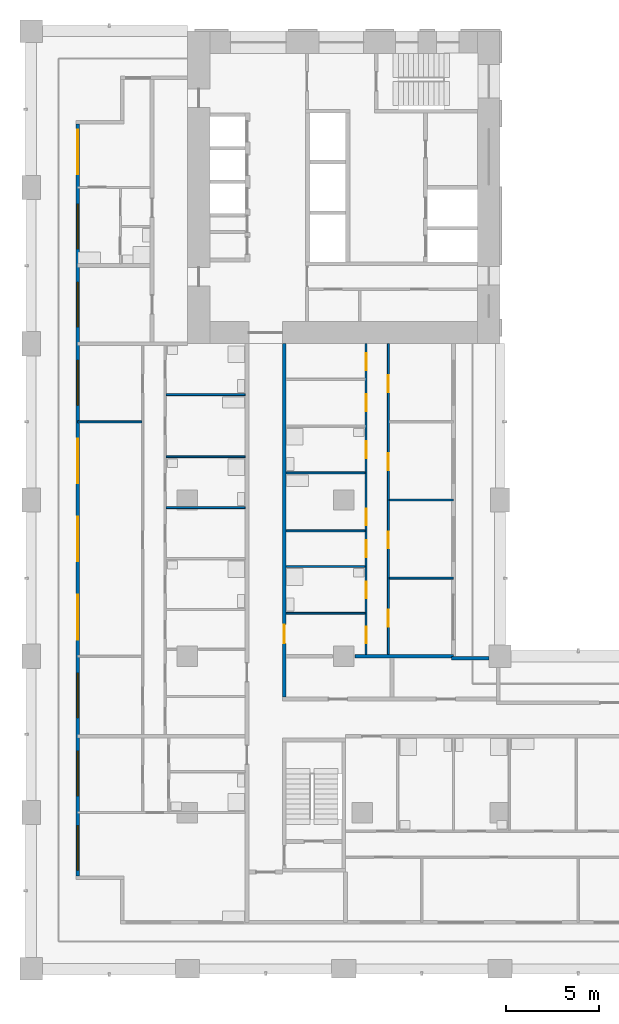
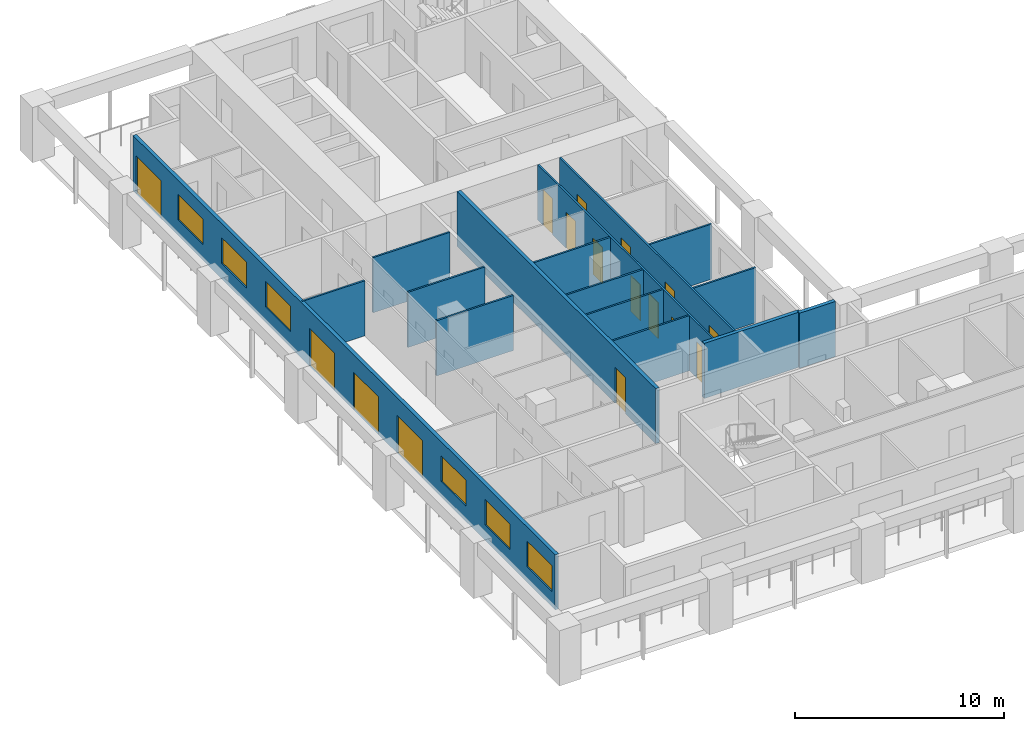
# One storey, part 4 of 16: 16 doors, 16 walls, 6 windows, 22 openings.
"""IFC4 building model written with IfcOpenShell, lengths in metres."""

from ifc_helpers import new_model, si_unit, direction, frame, frame_2d, origin, place, context, subcontext, project, spatial, rectangle, extrude, material, layer, layer_set, type_object, element, fill, save


model = new_model("IFC4")

# Units and contexts
model_context = context("Model", 3, precision=1e-05, world=origin(), true_north=direction((0.0, 1.0)))
body_context = subcontext(model_context, "Body", "Model", "MODEL_VIEW")
ifc_project = project(units=[si_unit("LENGTHUNIT", "METRE"), si_unit("AREAUNIT", "SQUARE_METRE"), si_unit("VOLUMEUNIT", "CUBIC_METRE"), si_unit("PLANEANGLEUNIT", "RADIAN"), si_unit("MASSUNIT", "GRAM", prefix="KILO")], contexts=[model_context])

# Site, building, storey
site_placement = place(None, origin())
site = spatial("IfcSite", under=ifc_project, at=site_placement, CompositionType="ELEMENT")
building_placement = place(site_placement, origin())
building = spatial("IfcBuilding", under=site, at=building_placement, Name="Vermilion Gate Residences", CompositionType="ELEMENT")
storey_placement = place(building_placement, frame((0.0, 0.0, 126.699951171875)))
storey = spatial("IfcBuildingStorey", under=building, at=storey_placement, Name="L32", CompositionType="ELEMENT", Elevation=126.699951171875)

# Wall, openings, doors, windows
ifc_material_1 = material(Name="Insulated steel stud wall with terracotta rainscreen", Category="masonry")
ifc_layer_1 = layer(ifc_material_1, 0.199951171875)
ifc_layer_set_1 = layer_set([ifc_layer_1], Name="EXTERNAL WALL 200 TERRACOTTA RAINSCREEN")
wall_type_1 = type_object("IfcWallType", Name="EXTERNAL WALL 200 TERRACOTTA RAINSCREEN", PredefinedType="SOLIDWALL", material=ifc_layer_set_1)
wall_1_placement = place(storey_placement, frame((2.5, 53.800048828125, 0.0), z_axis=(0.0, 0.0, 1.0), x_axis=(0.0, -1.0, 0.0)))
wall_1 = element("IfcWall", 1, at=wall_1_placement, inside=storey, type_object=wall_type_1, Name="External wall", PredefinedType="SOLIDWALL", context=body_context, shape_type="SweptSolid", body=[
    extrude(rectangle(XDim=40.400146484375, YDim=0.199951171875, at=frame_2d((20.2001953125, 0.0))), origin(), (0.0, 0.0, 1.0), 3.219970703125),
])
opening_1_placement = place(wall_1_placement, frame((37.699951171875, 0.0, 0.89990234375)))
opening_1 = element("IfcOpeningElement", 2, at=opening_1_placement, cuts=wall_1, Name="Opening WE32002", PredefinedType="OPENING", context=body_context, shape_type="SweptSolid", body=[
    extrude(rectangle(XDim=2.39990234375, YDim=1.5, at=frame_2d((1.199951171875, 0.75))), frame((0.0, 0.10986328125, 0.0), z_axis=(0.0, -1.0, 0.0), x_axis=(1.0, 0.0, 0.0)), (0.0, 0.0, 1.0), 0.219970703125),
])
opening_2_placement = place(wall_1_placement, frame((33.699951171875, 0.0, 0.89990234375)))
opening_2 = element("IfcOpeningElement", 3, at=opening_2_placement, cuts=wall_1, Name="Opening WE32003", PredefinedType="OPENING", context=body_context, shape_type="SweptSolid", body=[
    extrude(rectangle(XDim=2.39990234375, YDim=1.5, at=frame_2d((1.199951171875, 0.75))), frame((0.0, 0.10986328125, 0.0), z_axis=(0.0, -1.0, 0.0), x_axis=(1.0, 0.0, 0.0)), (0.0, 0.0, 1.0), 0.219970703125),
])
opening_3_placement = place(wall_1_placement, frame((29.5, 0.0, 0.89990234375)))
opening_3 = element("IfcOpeningElement", 4, at=opening_3_placement, cuts=wall_1, Name="Opening WE32004", PredefinedType="OPENING", context=body_context, shape_type="SweptSolid", body=[
    extrude(rectangle(XDim=2.39990234375, YDim=1.5, at=frame_2d((1.199951171875, 0.75))), frame((0.0, 0.10986328125, 0.0), z_axis=(0.0, -1.0, 0.0), x_axis=(1.0, 0.0, 0.0)), (0.0, 0.0, 1.0), 0.219970703125),
])
opening_4_placement = place(wall_1_placement, frame((25.300048828125, 0.0, 0.0)))
opening_4 = element("IfcOpeningElement", 5, at=opening_4_placement, cuts=wall_1, Name="Opening DE32005", PredefinedType="OPENING", context=body_context, shape_type="SweptSolid", body=[
    extrude(rectangle(XDim=2.39990234375, YDim=2.199951171875, at=frame_2d((1.199951171875, 1.10009765625))), frame((0.0, 0.10986328125, 0.0), z_axis=(0.0, -1.0, 0.0), x_axis=(1.0, 0.0, 0.0)), (0.0, 0.0, 1.0), 0.219970703125),
])
opening_5_placement = place(wall_1_placement, frame((21.10009765625, 0.0, 0.0)))
opening_5 = element("IfcOpeningElement", 6, at=opening_5_placement, cuts=wall_1, Name="Opening DE32006", PredefinedType="OPENING", context=body_context, shape_type="SweptSolid", body=[
    extrude(rectangle(XDim=2.39990234375, YDim=2.199951171875, at=frame_2d((1.199951171875, 1.10009765625))), frame((0.0, 0.10986328125, 0.0), z_axis=(0.0, -1.0, 0.0), x_axis=(1.0, 0.0, 0.0)), (0.0, 0.0, 1.0), 0.219970703125),
])
opening_6_placement = place(wall_1_placement, frame((16.89990234375, 0.0, 0.0)))
opening_6 = element("IfcOpeningElement", 7, at=opening_6_placement, cuts=wall_1, Name="Opening DE32007", PredefinedType="OPENING", context=body_context, shape_type="SweptSolid", body=[
    extrude(rectangle(XDim=2.39990234375, YDim=2.199951171875, at=frame_2d((1.199951171875, 1.10009765625))), frame((0.0, 0.10986328125, 0.0), z_axis=(0.0, -1.0, 0.0), x_axis=(1.0, 0.0, 0.0)), (0.0, 0.0, 1.0), 0.219970703125),
])
opening_7_placement = place(wall_1_placement, frame((12.699951171875, 0.0, 0.89990234375)))
opening_7 = element("IfcOpeningElement", 8, at=opening_7_placement, cuts=wall_1, Name="Opening WE32008", PredefinedType="OPENING", context=body_context, shape_type="SweptSolid", body=[
    extrude(rectangle(XDim=2.39990234375, YDim=1.5, at=frame_2d((1.199951171875, 0.75))), frame((0.0, 0.10986328125, 0.0), z_axis=(0.0, -1.0, 0.0), x_axis=(1.0, 0.0, 0.0)), (0.0, 0.0, 1.0), 0.219970703125),
])
opening_8_placement = place(wall_1_placement, frame((8.5, 0.0, 0.89990234375)))
opening_8 = element("IfcOpeningElement", 9, at=opening_8_placement, cuts=wall_1, Name="Opening WE32009", PredefinedType="OPENING", context=body_context, shape_type="SweptSolid", body=[
    extrude(rectangle(XDim=2.39990234375, YDim=1.5, at=frame_2d((1.199951171875, 0.75))), frame((0.0, 0.10986328125, 0.0), z_axis=(0.0, -1.0, 0.0), x_axis=(1.0, 0.0, 0.0)), (0.0, 0.0, 1.0), 0.219970703125),
])
opening_9_placement = place(wall_1_placement, frame((4.300048828125, 0.0, 0.89990234375)))
opening_9 = element("IfcOpeningElement", 10, at=opening_9_placement, cuts=wall_1, Name="Opening WE32010", PredefinedType="OPENING", context=body_context, shape_type="SweptSolid", body=[
    extrude(rectangle(XDim=2.39990234375, YDim=1.5, at=frame_2d((1.199951171875, 0.75))), frame((0.0, 0.10986328125, 0.0), z_axis=(0.0, -1.0, 0.0), x_axis=(1.0, 0.0, 0.0)), (0.0, 0.0, 1.0), 0.219970703125),
])
opening_10_placement = place(wall_1_placement, frame((0.300048828125, 0.0, 0.0)))
opening_10 = element("IfcOpeningElement", 11, at=opening_10_placement, cuts=wall_1, Name="Opening DE32011", PredefinedType="OPENING", context=body_context, shape_type="SweptSolid", body=[
    extrude(rectangle(XDim=2.39990234375, YDim=2.199951171875, at=frame_2d((1.199951171875, 1.10009765625))), frame((0.0, 0.10986328125, 0.0), z_axis=(0.0, -1.0, 0.0), x_axis=(1.0, 0.0, 0.0)), (0.0, 0.0, 1.0), 0.219970703125),
])
ifc_material_2 = material(Name="Aluminium and clear glass", Category="aluminium")
door_type_1 = type_object("IfcDoorType", Name="SLIDING GLAZED DOOR 2400 X 2200", OperationType="DOUBLE_DOOR_SLIDING", PredefinedType="DOOR", material=ifc_material_2)
door_1_placement = place(opening_4_placement, origin())
door_1 = element("IfcDoor", 12, at=door_1_placement, inside=storey, type_object=door_type_1, Name="Loggia sliding door", OperationType="DOUBLE_DOOR_SLIDING", OverallHeight=2.199951171875, OverallWidth=2.39990234375, PredefinedType="DOOR", context=body_context, shape_type="SweptSolid", body=[
    extrude(rectangle(XDim=2.39990234375, YDim=2.199951171875, at=frame_2d((1.199951171875, 1.10009765625))), frame((0.0, 0.02490234375, 0.0), z_axis=(0.0, -1.0, 0.0), x_axis=(1.0, 0.0, 0.0)), (0.0, 0.0, 1.0), 0.050048828125),
])
fill(opening_4, door_1)
door_2_placement = place(opening_5_placement, origin())
door_2 = element("IfcDoor", 13, at=door_2_placement, inside=storey, type_object=door_type_1, Name="Loggia sliding door", OperationType="DOUBLE_DOOR_SLIDING", OverallHeight=2.199951171875, OverallWidth=2.39990234375, PredefinedType="DOOR", context=body_context, shape_type="SweptSolid", body=[
    extrude(rectangle(XDim=2.39990234375, YDim=2.199951171875, at=frame_2d((1.199951171875, 1.10009765625))), frame((0.0, 0.02490234375, 0.0), z_axis=(0.0, -1.0, 0.0), x_axis=(1.0, 0.0, 0.0)), (0.0, 0.0, 1.0), 0.050048828125),
])
fill(opening_5, door_2)
door_3_placement = place(opening_6_placement, origin())
door_3 = element("IfcDoor", 14, at=door_3_placement, inside=storey, type_object=door_type_1, Name="Loggia sliding door", OperationType="DOUBLE_DOOR_SLIDING", OverallHeight=2.199951171875, OverallWidth=2.39990234375, PredefinedType="DOOR", context=body_context, shape_type="SweptSolid", body=[
    extrude(rectangle(XDim=2.39990234375, YDim=2.199951171875, at=frame_2d((1.199951171875, 1.10009765625))), frame((0.0, 0.02490234375, 0.0), z_axis=(0.0, -1.0, 0.0), x_axis=(1.0, 0.0, 0.0)), (0.0, 0.0, 1.0), 0.050048828125),
])
fill(opening_6, door_3)
door_4_placement = place(opening_10_placement, origin())
door_4 = element("IfcDoor", 15, at=door_4_placement, inside=storey, type_object=door_type_1, Name="Loggia sliding door", OperationType="DOUBLE_DOOR_SLIDING", OverallHeight=2.199951171875, OverallWidth=2.39990234375, PredefinedType="DOOR", context=body_context, shape_type="SweptSolid", body=[
    extrude(rectangle(XDim=2.39990234375, YDim=2.199951171875, at=frame_2d((1.199951171875, 1.10009765625))), frame((0.0, 0.02490234375, 0.0), z_axis=(0.0, -1.0, 0.0), x_axis=(1.0, 0.0, 0.0)), (0.0, 0.0, 1.0), 0.050048828125),
])
fill(opening_10, door_4)
ifc_material_3 = material(Name="Aluminium and clear glass", Category="aluminium")
window_type = type_object("IfcWindowType", Name="WINDOW 2400 X 1500", PartitioningType="SINGLE_PANEL", PredefinedType="WINDOW", material=ifc_material_3)
window_1_placement = place(opening_1_placement, origin())
window_1 = element("IfcWindow", 16, at=window_1_placement, inside=storey, type_object=window_type, Name="Window", OverallHeight=1.5, OverallWidth=2.39990234375, PartitioningType="SINGLE_PANEL", PredefinedType="WINDOW", context=body_context, shape_type="SweptSolid", body=[
    extrude(rectangle(XDim=2.39990234375, YDim=1.5, at=frame_2d((1.199951171875, 0.75))), frame((0.0, 0.030029296875, 0.0), z_axis=(0.0, -1.0, 0.0), x_axis=(1.0, 0.0, 0.0)), (0.0, 0.0, 1.0), 0.06005859375),
])
fill(opening_1, window_1)
window_2_placement = place(opening_2_placement, origin())
window_2 = element("IfcWindow", 17, at=window_2_placement, inside=storey, type_object=window_type, Name="Window", OverallHeight=1.5, OverallWidth=2.39990234375, PartitioningType="SINGLE_PANEL", PredefinedType="WINDOW", context=body_context, shape_type="SweptSolid", body=[
    extrude(rectangle(XDim=2.39990234375, YDim=1.5, at=frame_2d((1.199951171875, 0.75))), frame((0.0, 0.030029296875, 0.0), z_axis=(0.0, -1.0, 0.0), x_axis=(1.0, 0.0, 0.0)), (0.0, 0.0, 1.0), 0.06005859375),
])
fill(opening_2, window_2)
window_3_placement = place(opening_3_placement, origin())
window_3 = element("IfcWindow", 18, at=window_3_placement, inside=storey, type_object=window_type, Name="Window", OverallHeight=1.5, OverallWidth=2.39990234375, PartitioningType="SINGLE_PANEL", PredefinedType="WINDOW", context=body_context, shape_type="SweptSolid", body=[
    extrude(rectangle(XDim=2.39990234375, YDim=1.5, at=frame_2d((1.199951171875, 0.75))), frame((0.0, 0.030029296875, 0.0), z_axis=(0.0, -1.0, 0.0), x_axis=(1.0, 0.0, 0.0)), (0.0, 0.0, 1.0), 0.06005859375),
])
fill(opening_3, window_3)
window_4_placement = place(opening_7_placement, origin())
window_4 = element("IfcWindow", 19, at=window_4_placement, inside=storey, type_object=window_type, Name="Window", OverallHeight=1.5, OverallWidth=2.39990234375, PartitioningType="SINGLE_PANEL", PredefinedType="WINDOW", context=body_context, shape_type="SweptSolid", body=[
    extrude(rectangle(XDim=2.39990234375, YDim=1.5, at=frame_2d((1.199951171875, 0.75))), frame((0.0, 0.030029296875, 0.0), z_axis=(0.0, -1.0, 0.0), x_axis=(1.0, 0.0, 0.0)), (0.0, 0.0, 1.0), 0.06005859375),
])
fill(opening_7, window_4)
window_5_placement = place(opening_8_placement, origin())
window_5 = element("IfcWindow", 20, at=window_5_placement, inside=storey, type_object=window_type, Name="Window", OverallHeight=1.5, OverallWidth=2.39990234375, PartitioningType="SINGLE_PANEL", PredefinedType="WINDOW", context=body_context, shape_type="SweptSolid", body=[
    extrude(rectangle(XDim=2.39990234375, YDim=1.5, at=frame_2d((1.199951171875, 0.75))), frame((0.0, 0.030029296875, 0.0), z_axis=(0.0, -1.0, 0.0), x_axis=(1.0, 0.0, 0.0)), (0.0, 0.0, 1.0), 0.06005859375),
])
fill(opening_8, window_5)
window_6_placement = place(opening_9_placement, origin())
window_6 = element("IfcWindow", 21, at=window_6_placement, inside=storey, type_object=window_type, Name="Window", OverallHeight=1.5, OverallWidth=2.39990234375, PartitioningType="SINGLE_PANEL", PredefinedType="WINDOW", context=body_context, shape_type="SweptSolid", body=[
    extrude(rectangle(XDim=2.39990234375, YDim=1.5, at=frame_2d((1.199951171875, 0.75))), frame((0.0, 0.030029296875, 0.0), z_axis=(0.0, -1.0, 0.0), x_axis=(1.0, 0.0, 0.0)), (0.0, 0.0, 1.0), 0.06005859375),
])
fill(opening_9, window_6)

# Walls
wall_2_placement = place(storey_placement, frame((24.60009765625, 25.10009765625, 0.0), z_axis=(0.0, 0.0, 1.0), x_axis=(-1.0, 0.0, 0.0)))
element("IfcWall", 22, at=wall_2_placement, inside=storey, type_object=wall_type_1, Name="External wall", PredefinedType="SOLIDWALL", context=body_context, shape_type="SweptSolid", body=[
    extrude(rectangle(XDim=2.0, YDim=0.199951171875, at=frame_2d((1.0, 0.0))), origin(), (0.0, 0.0, 1.0), 3.219970703125),
])
ifc_material_4 = material(Name="Plasterboard on steel studs", Category="steel")
ifc_layer_2 = layer(ifc_material_4, 0.10009765625)
ifc_layer_set_2 = layer_set([ifc_layer_2], Name="PARTITION 100")
wall_type_2 = type_object("IfcWallType", Name="PARTITION 100", PredefinedType="PARTITIONING", material=ifc_layer_set_2)
wall_3_placement = place(storey_placement, frame((13.699951171875, 27.513916015625, 0.0), z_axis=(0.0, 0.0, 1.0), x_axis=(1.0, 0.0, 0.0)))
element("IfcWall", 23, at=wall_3_placement, inside=storey, type_object=wall_type_2, Name="Partition", PredefinedType="PARTITIONING", context=body_context, shape_type="SweptSolid", body=[
    extrude(rectangle(XDim=4.25, YDim=0.10009765625, at=frame_2d((2.125, 0.0))), origin(), (0.0, 0.0, 1.0), 3.219970703125),
])
wall_4_placement = place(storey_placement, frame((19.25, 29.39990234375, 0.0), z_axis=(0.0, 0.0, 1.0), x_axis=(1.0, 0.0, 0.0)))
element("IfcWall", 24, at=wall_4_placement, inside=storey, type_object=wall_type_2, Name="Partition", PredefinedType="PARTITIONING", context=body_context, shape_type="SweptSolid", body=[
    extrude(rectangle(XDim=3.449951171875, YDim=0.10009765625, at=frame_2d((1.72509765625, 0.0))), origin(), (0.0, 0.0, 1.0), 3.219970703125),
])
for number, where, z_axis, x_axis, name in (
    (25, (13.699951171875, 30.029052734375, 0.0), (0.0, 0.0, 1.0), (1.0, 0.0, 0.0), "Partition"),
    (26, (13.699951171875, 31.943115234375, 0.0), (0.0, 0.0, 1.0), (1.0, 0.0, 0.0), "Partition"),
    (27, (7.25, 33.18798828125, 0.0), (0.0, 0.0, 1.0), (1.0, 0.0, 0.0), "Partition"),
):
    element("IfcWall", number, at=place(storey_placement, frame(where, z_axis=z_axis, x_axis=x_axis)), inside=storey, type_object=wall_type_2, Name=name, PredefinedType="PARTITIONING", context=body_context, shape_type="SweptSolid", body=[
        extrude(rectangle(XDim=4.25, YDim=0.10009765625, at=frame_2d((2.125, 0.0))), origin(), (0.0, 0.0, 1.0), 3.219970703125),
    ])
wall_5_placement = place(storey_placement, frame((19.25, 33.60009765625, 0.0), z_axis=(0.0, 0.0, 1.0), x_axis=(1.0, 0.0, 0.0)))
element("IfcWall", 28, at=wall_5_placement, inside=storey, type_object=wall_type_2, Name="Partition", PredefinedType="PARTITIONING", context=body_context, shape_type="SweptSolid", body=[
    extrude(rectangle(XDim=3.449951171875, YDim=0.10009765625, at=frame_2d((1.72509765625, 0.0))), origin(), (0.0, 0.0, 1.0), 3.219970703125),
])
for number, where, z_axis, x_axis, name in (
    (29, (13.699951171875, 35.056884765625, 0.0), (0.0, 0.0, 1.0), (1.0, 0.0, 0.0), "Partition"),
    (30, (7.25, 35.925048828125, 0.0), (0.0, 0.0, 1.0), (1.0, 0.0, 0.0), "Partition"),
):
    element("IfcWall", number, at=place(storey_placement, frame(where, z_axis=z_axis, x_axis=x_axis)), inside=storey, type_object=wall_type_2, Name=name, PredefinedType="PARTITIONING", context=body_context, shape_type="SweptSolid", body=[
        extrude(rectangle(XDim=4.25, YDim=0.10009765625, at=frame_2d((2.125, 0.0))), origin(), (0.0, 0.0, 1.0), 3.219970703125),
    ])
wall_6_placement = place(storey_placement, frame((2.5, 37.800048828125, 0.0), z_axis=(0.0, 0.0, 1.0), x_axis=(1.0, 0.0, 0.0)))
element("IfcWall", 31, at=wall_6_placement, inside=storey, type_object=wall_type_2, Name="Partition", PredefinedType="PARTITIONING", context=body_context, shape_type="SweptSolid", body=[
    extrude(rectangle(XDim=3.449951171875, YDim=0.10009765625, at=frame_2d((1.72509765625, 0.0))), origin(), (0.0, 0.0, 1.0), 3.219970703125),
])
wall_7_placement = place(storey_placement, frame((7.25, 39.262939453125, 0.0), z_axis=(0.0, 0.0, 1.0), x_axis=(1.0, 0.0, 0.0)))
element("IfcWall", 32, at=wall_7_placement, inside=storey, type_object=wall_type_2, Name="Partition", PredefinedType="PARTITIONING", context=body_context, shape_type="SweptSolid", body=[
    extrude(rectangle(XDim=4.25, YDim=0.10009765625, at=frame_2d((2.125, 0.0))), origin(), (0.0, 0.0, 1.0), 3.219970703125),
])

# Wall, openings, doors
wall_8_placement = place(storey_placement, frame((18.0, 25.300048828125, 0.0), z_axis=(0.0, 0.0, 1.0), x_axis=(0.0, 1.0, 0.0)))
wall_8 = element("IfcWall", 33, at=wall_8_placement, inside=storey, type_object=wall_type_2, Name="Partition", PredefinedType="PARTITIONING", context=body_context, shape_type="SweptSolid", body=[
    extrude(rectangle(XDim=16.699951171875, YDim=0.10009765625, at=frame_2d((8.35009765625, 0.0))), origin(), (0.0, 0.0, 1.0), 3.219970703125),
])
opening_11_placement = place(wall_8_placement, frame((0.60009765625, 0.0, 0.0)))
opening_11 = element("IfcOpeningElement", 34, at=opening_11_placement, cuts=wall_8, Name="Opening DA32039", PredefinedType="OPENING", context=body_context, shape_type="SweptSolid", body=[
    extrude(rectangle(XDim=0.89990234375, YDim=2.10009765625, at=frame_2d((0.449951171875, 1.050048828125))), frame((0.0, 0.06005859375, 0.0), z_axis=(0.0, -1.0, 0.0), x_axis=(1.0, 0.0, 0.0)), (0.0, 0.0, 1.0), 0.1201171875),
])
opening_12_placement = place(wall_8_placement, frame((3.013916015625, 0.0, 0.0)))
opening_12 = element("IfcOpeningElement", 35, at=opening_12_placement, cuts=wall_8, Name="Opening DA32040", PredefinedType="OPENING", context=body_context, shape_type="SweptSolid", body=[
    extrude(rectangle(XDim=0.89990234375, YDim=2.10009765625, at=frame_2d((0.449951171875, 1.050048828125))), frame((0.0, 0.06005859375, 0.0), z_axis=(0.0, -1.0, 0.0), x_axis=(1.0, 0.0, 0.0)), (0.0, 0.0, 1.0), 0.1201171875),
])
opening_13_placement = place(wall_8_placement, frame((5.22900390625, 0.0, 0.0)))
opening_13 = element("IfcOpeningElement", 36, at=opening_13_placement, cuts=wall_8, Name="Opening DA32041", PredefinedType="OPENING", context=body_context, shape_type="SweptSolid", body=[
    extrude(rectangle(XDim=0.89990234375, YDim=2.10009765625, at=frame_2d((0.449951171875, 1.050048828125))), frame((0.0, 0.06005859375, 0.0), z_axis=(0.0, -1.0, 0.0), x_axis=(1.0, 0.0, 0.0)), (0.0, 0.0, 1.0), 0.1201171875),
])
opening_14_placement = place(wall_8_placement, frame((6.943115234375, 0.0, 0.0)))
opening_14 = element("IfcOpeningElement", 37, at=opening_14_placement, cuts=wall_8, Name="Opening DA32042", PredefinedType="OPENING", context=body_context, shape_type="SweptSolid", body=[
    extrude(rectangle(XDim=0.89990234375, YDim=2.10009765625, at=frame_2d((0.449951171875, 1.050048828125))), frame((0.0, 0.06005859375, 0.0), z_axis=(0.0, -1.0, 0.0), x_axis=(1.0, 0.0, 0.0)), (0.0, 0.0, 1.0), 0.1201171875),
])
opening_15_placement = place(wall_8_placement, frame((10.556884765625, 0.0, 0.0)))
opening_15 = element("IfcOpeningElement", 38, at=opening_15_placement, cuts=wall_8, Name="Opening DA32043", PredefinedType="OPENING", context=body_context, shape_type="SweptSolid", body=[
    extrude(rectangle(XDim=0.89990234375, YDim=2.10009765625, at=frame_2d((0.449951171875, 1.050048828125))), frame((0.0, 0.06005859375, 0.0), z_axis=(0.0, -1.0, 0.0), x_axis=(1.0, 0.0, 0.0)), (0.0, 0.0, 1.0), 0.1201171875),
])
opening_16_placement = place(wall_8_placement, frame((13.072021484375, 0.0, 0.0)))
opening_16 = element("IfcOpeningElement", 39, at=opening_16_placement, cuts=wall_8, Name="Opening DA32044", PredefinedType="OPENING", context=body_context, shape_type="SweptSolid", body=[
    extrude(rectangle(XDim=0.89990234375, YDim=2.10009765625, at=frame_2d((0.449951171875, 1.050048828125))), frame((0.0, 0.06005859375, 0.0), z_axis=(0.0, -1.0, 0.0), x_axis=(1.0, 0.0, 0.0)), (0.0, 0.0, 1.0), 0.1201171875),
])
opening_17_placement = place(wall_8_placement, frame((15.285888671875, 0.0, 0.0)))
opening_17 = element("IfcOpeningElement", 40, at=opening_17_placement, cuts=wall_8, Name="Opening DA32045", PredefinedType="OPENING", context=body_context, shape_type="SweptSolid", body=[
    extrude(rectangle(XDim=0.89990234375, YDim=2.10009765625, at=frame_2d((0.449951171875, 1.050048828125))), frame((0.0, 0.06005859375, 0.0), z_axis=(0.0, -1.0, 0.0), x_axis=(1.0, 0.0, 0.0)), (0.0, 0.0, 1.0), 0.1201171875),
])
ifc_material_5 = material(Name="Timber", Category="wood")
door_type_2 = type_object("IfcDoorType", Name="INTERIOR DOOR 900 X 2100", OperationType="SINGLE_SWING_LEFT", PredefinedType="DOOR", material=ifc_material_5)
door_5_placement = place(opening_11_placement, origin())
door_5 = element("IfcDoor", 41, at=door_5_placement, inside=storey, type_object=door_type_2, Name="Interior door", OperationType="SINGLE_SWING_LEFT", OverallHeight=2.10009765625, OverallWidth=0.89990234375, PredefinedType="DOOR", context=body_context, shape_type="SweptSolid", body=[
    extrude(rectangle(XDim=0.89990234375, YDim=2.10009765625, at=frame_2d((0.449951171875, 1.050048828125))), frame((0.0, 0.02490234375, 0.0), z_axis=(0.0, -1.0, 0.0), x_axis=(1.0, 0.0, 0.0)), (0.0, 0.0, 1.0), 0.050048828125),
])
fill(opening_11, door_5)
door_6_placement = place(opening_12_placement, origin())
door_6 = element("IfcDoor", 42, at=door_6_placement, inside=storey, type_object=door_type_2, Name="Interior door", OperationType="SINGLE_SWING_RIGHT", OverallHeight=2.10009765625, OverallWidth=0.89990234375, PredefinedType="DOOR", context=body_context, shape_type="SweptSolid", body=[
    extrude(rectangle(XDim=0.89990234375, YDim=2.10009765625, at=frame_2d((0.449951171875, 1.050048828125))), frame((0.0, 0.02490234375, 0.0), z_axis=(0.0, -1.0, 0.0), x_axis=(1.0, 0.0, 0.0)), (0.0, 0.0, 1.0), 0.050048828125),
])
fill(opening_12, door_6)
door_7_placement = place(opening_13_placement, origin())
door_7 = element("IfcDoor", 43, at=door_7_placement, inside=storey, type_object=door_type_2, Name="Interior door", OperationType="SINGLE_SWING_LEFT", OverallHeight=2.10009765625, OverallWidth=0.89990234375, PredefinedType="DOOR", context=body_context, shape_type="SweptSolid", body=[
    extrude(rectangle(XDim=0.89990234375, YDim=2.10009765625, at=frame_2d((0.449951171875, 1.050048828125))), frame((0.0, 0.02490234375, 0.0), z_axis=(0.0, -1.0, 0.0), x_axis=(1.0, 0.0, 0.0)), (0.0, 0.0, 1.0), 0.050048828125),
])
fill(opening_13, door_7)
door_8_placement = place(opening_14_placement, origin())
door_8 = element("IfcDoor", 44, at=door_8_placement, inside=storey, type_object=door_type_2, Name="Interior door", OperationType="SINGLE_SWING_LEFT", OverallHeight=2.10009765625, OverallWidth=0.89990234375, PredefinedType="DOOR", context=body_context, shape_type="SweptSolid", body=[
    extrude(rectangle(XDim=0.89990234375, YDim=2.10009765625, at=frame_2d((0.449951171875, 1.050048828125))), frame((0.0, 0.02490234375, 0.0), z_axis=(0.0, -1.0, 0.0), x_axis=(1.0, 0.0, 0.0)), (0.0, 0.0, 1.0), 0.050048828125),
])
fill(opening_14, door_8)
door_9_placement = place(opening_15_placement, origin())
door_9 = element("IfcDoor", 45, at=door_9_placement, inside=storey, type_object=door_type_2, Name="Interior door", OperationType="SINGLE_SWING_RIGHT", OverallHeight=2.10009765625, OverallWidth=0.89990234375, PredefinedType="DOOR", context=body_context, shape_type="SweptSolid", body=[
    extrude(rectangle(XDim=0.89990234375, YDim=2.10009765625, at=frame_2d((0.449951171875, 1.050048828125))), frame((0.0, 0.02490234375, 0.0), z_axis=(0.0, -1.0, 0.0), x_axis=(1.0, 0.0, 0.0)), (0.0, 0.0, 1.0), 0.050048828125),
])
fill(opening_15, door_9)
door_10_placement = place(opening_16_placement, origin())
door_10 = element("IfcDoor", 46, at=door_10_placement, inside=storey, type_object=door_type_2, Name="Interior door", OperationType="SINGLE_SWING_LEFT", OverallHeight=2.10009765625, OverallWidth=0.89990234375, PredefinedType="DOOR", context=body_context, shape_type="SweptSolid", body=[
    extrude(rectangle(XDim=0.89990234375, YDim=2.10009765625, at=frame_2d((0.449951171875, 1.050048828125))), frame((0.0, 0.02490234375, 0.0), z_axis=(0.0, -1.0, 0.0), x_axis=(1.0, 0.0, 0.0)), (0.0, 0.0, 1.0), 0.050048828125),
])
fill(opening_16, door_10)
door_11_placement = place(opening_17_placement, origin())
door_11 = element("IfcDoor", 47, at=door_11_placement, inside=storey, type_object=door_type_2, Name="Interior door", OperationType="SINGLE_SWING_LEFT", OverallHeight=2.10009765625, OverallWidth=0.89990234375, PredefinedType="DOOR", context=body_context, shape_type="SweptSolid", body=[
    extrude(rectangle(XDim=0.89990234375, YDim=2.10009765625, at=frame_2d((0.449951171875, 1.050048828125))), frame((0.0, 0.02490234375, 0.0), z_axis=(0.0, -1.0, 0.0), x_axis=(1.0, 0.0, 0.0)), (0.0, 0.0, 1.0), 0.050048828125),
])
fill(opening_17, door_11)

wall_9_placement = place(storey_placement, frame((19.199951171875, 25.300048828125, 0.0), z_axis=(0.0, 0.0, 1.0), x_axis=(0.0, 1.0, 0.0)))
wall_9 = element("IfcWall", 48, at=wall_9_placement, inside=storey, type_object=wall_type_2, Name="Partition", PredefinedType="PARTITIONING", context=body_context, shape_type="SweptSolid", body=[
    extrude(rectangle(XDim=16.699951171875, YDim=0.10009765625, at=frame_2d((8.35009765625, 0.0))), origin(), (0.0, 0.0, 1.0), 3.219970703125),
])
opening_18_placement = place(wall_9_placement, frame((1.5, 0.0, 0.0)))
opening_18 = element("IfcOpeningElement", 49, at=opening_18_placement, cuts=wall_9, Name="Opening DA32046", PredefinedType="OPENING", context=body_context, shape_type="SweptSolid", body=[
    extrude(rectangle(XDim=0.89990234375, YDim=2.10009765625, at=frame_2d((0.449951171875, 1.050048828125))), frame((0.0, 0.06005859375, 0.0), z_axis=(0.0, -1.0, 0.0), x_axis=(1.0, 0.0, 0.0)), (0.0, 0.0, 1.0), 0.1201171875),
])
opening_19_placement = place(wall_9_placement, frame((5.699951171875, 0.0, 0.0)))
opening_19 = element("IfcOpeningElement", 50, at=opening_19_placement, cuts=wall_9, Name="Opening DA32047", PredefinedType="OPENING", context=body_context, shape_type="SweptSolid", body=[
    extrude(rectangle(XDim=0.89990234375, YDim=2.10009765625, at=frame_2d((0.449951171875, 1.050048828125))), frame((0.0, 0.06005859375, 0.0), z_axis=(0.0, -1.0, 0.0), x_axis=(1.0, 0.0, 0.0)), (0.0, 0.0, 1.0), 0.1201171875),
])
opening_20_placement = place(wall_9_placement, frame((9.89990234375, 0.0, 0.0)))
opening_20 = element("IfcOpeningElement", 51, at=opening_20_placement, cuts=wall_9, Name="Opening DA32048", PredefinedType="OPENING", context=body_context, shape_type="SweptSolid", body=[
    extrude(rectangle(XDim=0.89990234375, YDim=2.10009765625, at=frame_2d((0.449951171875, 1.050048828125))), frame((0.0, 0.06005859375, 0.0), z_axis=(0.0, -1.0, 0.0), x_axis=(1.0, 0.0, 0.0)), (0.0, 0.0, 1.0), 0.1201171875),
])
opening_21_placement = place(wall_9_placement, frame((14.10009765625, 0.0, 0.0)))
opening_21 = element("IfcOpeningElement", 52, at=opening_21_placement, cuts=wall_9, Name="Opening DA32049", PredefinedType="OPENING", context=body_context, shape_type="SweptSolid", body=[
    extrude(rectangle(XDim=0.89990234375, YDim=2.10009765625, at=frame_2d((0.449951171875, 1.050048828125))), frame((0.0, 0.06005859375, 0.0), z_axis=(0.0, -1.0, 0.0), x_axis=(1.0, 0.0, 0.0)), (0.0, 0.0, 1.0), 0.1201171875),
])
door_12_placement = place(opening_18_placement, frame((0.89990234375, 0.0, 0.0), z_axis=(0.0, 0.0, 1.0), x_axis=(-1.0, 0.0, 0.0)))
door_12 = element("IfcDoor", 53, at=door_12_placement, inside=storey, type_object=door_type_2, Name="Interior door", OperationType="SINGLE_SWING_RIGHT", OverallHeight=2.10009765625, OverallWidth=0.89990234375, PredefinedType="DOOR", context=body_context, shape_type="SweptSolid", body=[
    extrude(rectangle(XDim=0.89990234375, YDim=2.10009765625, at=frame_2d((0.449951171875, 1.050048828125))), frame((0.0, 0.02490234375, 0.0), z_axis=(0.0, -1.0, 0.0), x_axis=(1.0, 0.0, 0.0)), (0.0, 0.0, 1.0), 0.050048828125),
])
fill(opening_18, door_12)
door_13_placement = place(opening_19_placement, frame((0.89990234375, 0.0, 0.0), z_axis=(0.0, 0.0, 1.0), x_axis=(-1.0, 0.0, 0.0)))
door_13 = element("IfcDoor", 54, at=door_13_placement, inside=storey, type_object=door_type_2, Name="Interior door", OperationType="SINGLE_SWING_RIGHT", OverallHeight=2.10009765625, OverallWidth=0.89990234375, PredefinedType="DOOR", context=body_context, shape_type="SweptSolid", body=[
    extrude(rectangle(XDim=0.89990234375, YDim=2.10009765625, at=frame_2d((0.449951171875, 1.050048828125))), frame((0.0, 0.02490234375, 0.0), z_axis=(0.0, -1.0, 0.0), x_axis=(1.0, 0.0, 0.0)), (0.0, 0.0, 1.0), 0.050048828125),
])
fill(opening_19, door_13)
door_14_placement = place(opening_20_placement, frame((0.89990234375, 0.0, 0.0), z_axis=(0.0, 0.0, 1.0), x_axis=(-1.0, 0.0, 0.0)))
door_14 = element("IfcDoor", 55, at=door_14_placement, inside=storey, type_object=door_type_2, Name="Interior door", OperationType="SINGLE_SWING_RIGHT", OverallHeight=2.10009765625, OverallWidth=0.89990234375, PredefinedType="DOOR", context=body_context, shape_type="SweptSolid", body=[
    extrude(rectangle(XDim=0.89990234375, YDim=2.10009765625, at=frame_2d((0.449951171875, 1.050048828125))), frame((0.0, 0.02490234375, 0.0), z_axis=(0.0, -1.0, 0.0), x_axis=(1.0, 0.0, 0.0)), (0.0, 0.0, 1.0), 0.050048828125),
])
fill(opening_20, door_14)
door_15_placement = place(opening_21_placement, frame((0.89990234375, 0.0, 0.0), z_axis=(0.0, 0.0, 1.0), x_axis=(-1.0, 0.0, 0.0)))
door_15 = element("IfcDoor", 56, at=door_15_placement, inside=storey, type_object=door_type_2, Name="Interior door", OperationType="SINGLE_SWING_RIGHT", OverallHeight=2.10009765625, OverallWidth=0.89990234375, PredefinedType="DOOR", context=body_context, shape_type="SweptSolid", body=[
    extrude(rectangle(XDim=0.89990234375, YDim=2.10009765625, at=frame_2d((0.449951171875, 1.050048828125))), frame((0.0, 0.02490234375, 0.0), z_axis=(0.0, -1.0, 0.0), x_axis=(1.0, 0.0, 0.0)), (0.0, 0.0, 1.0), 0.050048828125),
])
fill(opening_21, door_15)

# Wall
ifc_material_6 = material(Name="Fire-rated plasterboard on steel studs", Category="steel")
ifc_layer_3 = layer(ifc_material_6, 0.199951171875)
ifc_layer_set_3 = layer_set([ifc_layer_3], Name="PARTY WALL 200 EI 120")
wall_type_3 = type_object("IfcWallType", Name="PARTY WALL 200 EI 120", PredefinedType="PARTITIONING", material=ifc_layer_set_3)
wall_10_placement = place(storey_placement, frame((17.39990234375, 25.199951171875, 0.0), z_axis=(0.0, 0.0, 1.0), x_axis=(1.0, 0.0, 0.0)))
element("IfcWall", 57, at=wall_10_placement, inside=storey, type_object=wall_type_3, Name="Party and corridor wall", PredefinedType="PARTITIONING", context=body_context, shape_type="SweptSolid", body=[
    extrude(rectangle(XDim=5.300048828125, YDim=0.199951171875, at=frame_2d((2.64990234375, 0.0))), origin(), (0.0, 0.0, 1.0), 3.219970703125),
])

# Wall, opening, door
wall_11_placement = place(storey_placement, frame((13.60009765625, 23.0, 0.0), z_axis=(0.0, 0.0, 1.0), x_axis=(0.0, 1.0, 0.0)))
wall_11 = element("IfcWall", 58, at=wall_11_placement, inside=storey, type_object=wall_type_3, Name="Party and corridor wall", PredefinedType="PARTITIONING", context=body_context, shape_type="SweptSolid", body=[
    extrude(rectangle(XDim=19.0, YDim=0.199951171875, at=frame_2d((9.5, 0.0))), origin(), (0.0, 0.0, 1.0), 3.219970703125),
])
opening_22_placement = place(wall_11_placement, frame((2.89990234375, 0.0, 0.0)))
opening_22 = element("IfcOpeningElement", 59, at=opening_22_placement, cuts=wall_11, Name="Opening DA32038", PredefinedType="OPENING", context=body_context, shape_type="SweptSolid", body=[
    extrude(rectangle(XDim=1.0, YDim=2.10009765625, at=frame_2d((0.5, 1.050048828125))), frame((0.0, 0.10986328125, 0.0), z_axis=(0.0, -1.0, 0.0), x_axis=(1.0, 0.0, 0.0)), (0.0, 0.0, 1.0), 0.219970703125),
])
ifc_material_7 = material(Name="Steel", Category="steel")
door_type_3 = type_object("IfcDoorType", Name="ENTRANCE DOOR 1000 X 2100 FD30", OperationType="SINGLE_SWING_LEFT", PredefinedType="DOOR", material=ifc_material_7)
door_16_placement = place(opening_22_placement, frame((1.0, 0.0, 0.0), z_axis=(0.0, 0.0, 1.0), x_axis=(-1.0, 0.0, 0.0)))
door_16 = element("IfcDoor", 60, at=door_16_placement, inside=storey, type_object=door_type_3, Name="Entrance door", OperationType="SINGLE_SWING_LEFT", OverallHeight=2.10009765625, OverallWidth=1.0, PredefinedType="DOOR", context=body_context, shape_type="SweptSolid", body=[
    extrude(rectangle(XDim=1.0, YDim=2.10009765625, at=frame_2d((0.5, 1.050048828125))), frame((0.0, 0.02490234375, 0.0), z_axis=(0.0, -1.0, 0.0), x_axis=(1.0, 0.0, 0.0)), (0.0, 0.0, 1.0), 0.050048828125),
])
fill(opening_22, door_16)

save(model, "model.ifc")
